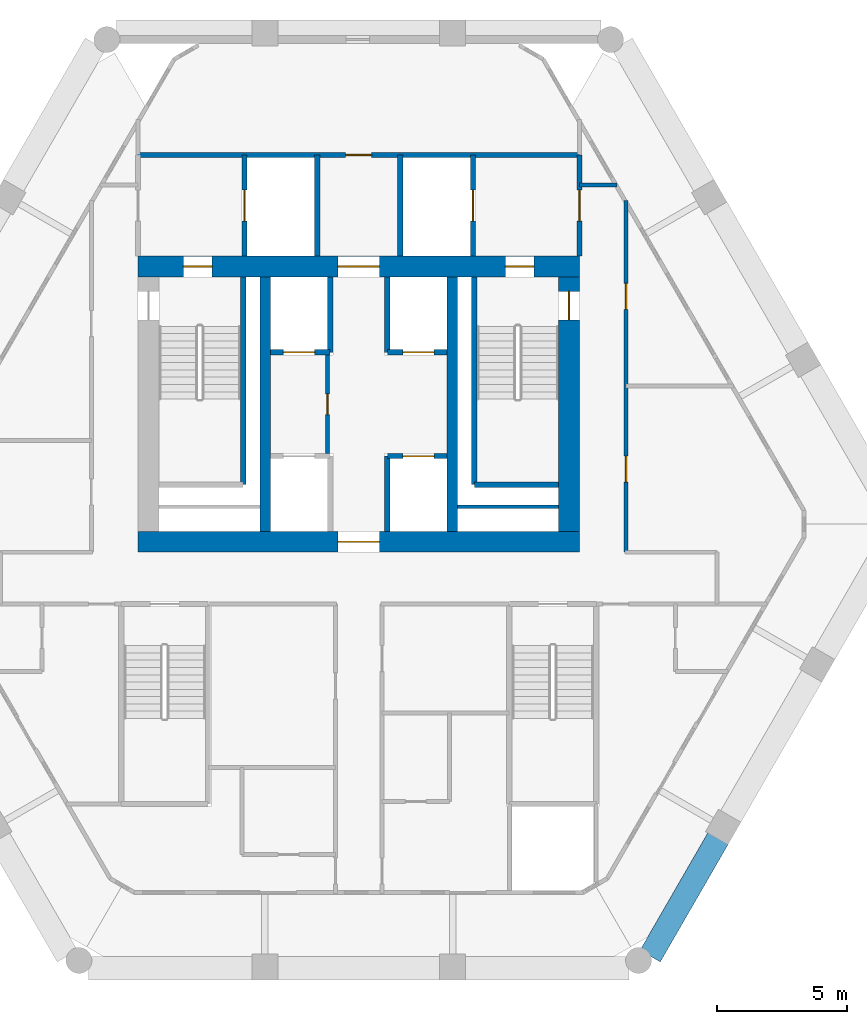
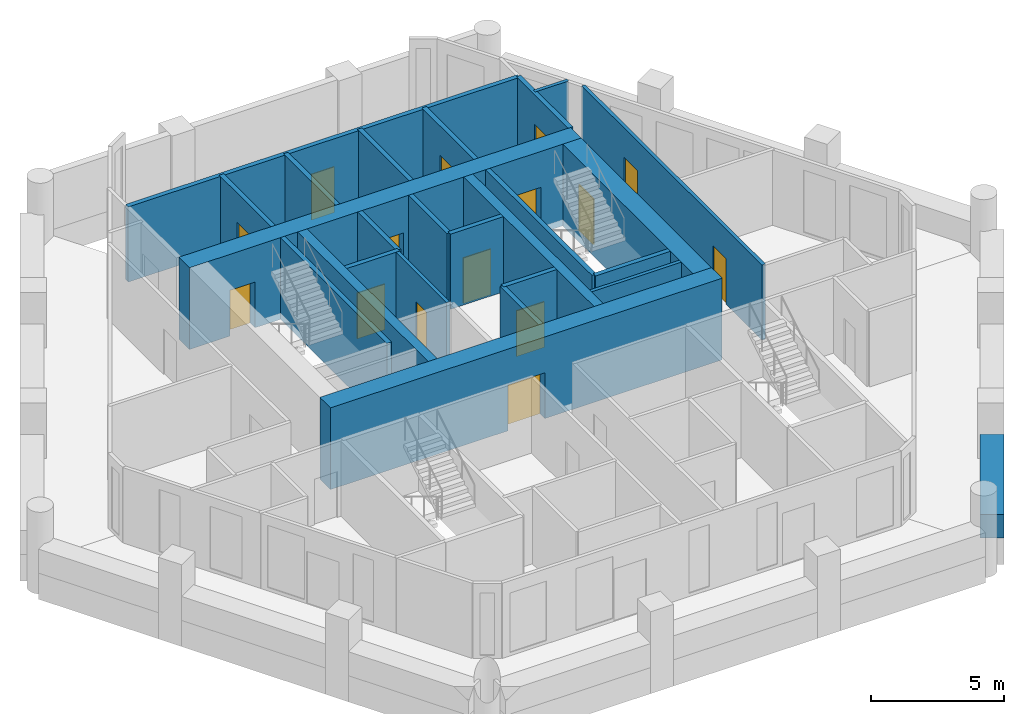
# One storey, part 4 of 7: 25 walls, 15 doors, 15 openings.
"""IFC4 building model written with IfcOpenShell, lengths in metres."""

from ifc_helpers import new_model, si_unit, direction, frame, frame_2d, origin, place, context, subcontext, project, spatial, rectangle, extrude, material, layer, layer_set, type_object, element, fill, save


model = new_model("IFC4")

# Units and contexts
model_context = context("Model", 3, precision=1e-05, world=origin(), true_north=direction((0.0, 1.0)))
body_context = subcontext(model_context, "Body", "Model", "MODEL_VIEW")
ifc_project = project(units=[si_unit("LENGTHUNIT", "METRE"), si_unit("AREAUNIT", "SQUARE_METRE"), si_unit("VOLUMEUNIT", "CUBIC_METRE"), si_unit("PLANEANGLEUNIT", "RADIAN"), si_unit("MASSUNIT", "GRAM", prefix="KILO")], contexts=[model_context])

# Site, building, storey
site_placement = place(None, origin())
site = spatial("IfcSite", under=ifc_project, at=site_placement, CompositionType="ELEMENT")
building_placement = place(site_placement, origin())
building = spatial("IfcBuilding", under=site, at=building_placement, Name="Ostrander Bayou Hotel Tower", CompositionType="ELEMENT")
storey_placement = place(building_placement, frame((0.0, 0.0, 183.25)))
storey = spatial("IfcBuildingStorey", under=building, at=storey_placement, Name="L45", CompositionType="ELEMENT", Elevation=183.25)

# Wall, opening, door
ifc_material_1 = material(Name="Concrete f'c 60 MPa", Category="concrete")
ifc_layer_1 = layer(ifc_material_1, 0.800048828125)
ifc_layer_set_1 = layer_set([ifc_layer_1], Name="CW7 core wall 800 mm f'c 60 MPa")
wall_type_1 = type_object("IfcWallType", Name="CW7 core wall 800 mm f'c 60 MPa", PredefinedType="SHEAR", material=ifc_layer_set_1)
wall_1_placement = place(storey_placement, frame((-8.5, -1.300048828125, -0.300048828125), z_axis=(0.0, 0.0, 1.0), x_axis=(1.0, 0.0, 0.0)))
wall_1 = element("IfcWall", 1, at=wall_1_placement, inside=storey, type_object=wall_type_1, Name="CW7 L45 S", PredefinedType="SHEAR", context=body_context, shape_type="SweptSolid", body=[
    extrude(rectangle(XDim=17.0, YDim=0.800048828125, at=frame_2d((8.5, 0.0))), origin(), (0.0, 0.0, 1.0), 3.75),
])
opening_1_placement = place(wall_1_placement, frame((7.699951171875, 0.0, 0.0)))
opening_1 = element("IfcOpeningElement", 2, at=opening_1_placement, cuts=wall_1, Name="Opening T44-005", PredefinedType="OPENING", context=body_context, shape_type="SweptSolid", body=[
    extrude(rectangle(XDim=1.60009765625, YDim=2.10009765625, at=frame_2d((0.800048828125, 1.050048828125))), frame((0.0, 0.39990234375, 0.0), z_axis=(0.0, -1.0, 0.0), x_axis=(1.0, 0.0, 0.0)), (0.0, 0.0, 1.0), 0.800048828125),
])
ifc_material_2 = material(Name="Timber door leaf", Category="wood")
door_type_1 = type_object("IfcDoorType", Name="D13 double door 1600 x 2100 mm, 1 hour", OperationType="SINGLE_SWING_LEFT", PredefinedType="DOOR", material=ifc_material_2)
door_1_placement = place(opening_1_placement, origin())
door_1 = element("IfcDoor", 3, at=door_1_placement, inside=storey, type_object=door_type_1, Name="dr:L45:005", OperationType="DOUBLE_DOOR_SINGLE_SWING", OverallHeight=2.10009765625, OverallWidth=1.60009765625, PredefinedType="DOOR", context=body_context, shape_type="SweptSolid", body=[
    extrude(rectangle(XDim=1.60009765625, YDim=2.10009765625, at=frame_2d((0.800048828125, 1.050048828125))), frame((0.0, 0.02490234375, 0.0), z_axis=(0.0, -1.0, 0.0), x_axis=(1.0, 0.0, 0.0)), (0.0, 0.0, 1.0), 0.050048828125),
])
fill(opening_1, door_1)

# Wall, openings, doors
wall_2_placement = place(storey_placement, frame((-8.5, 9.300048828125, -0.300048828125), z_axis=(0.0, 0.0, 1.0), x_axis=(1.0, 0.0, 0.0)))
wall_2 = element("IfcWall", 4, at=wall_2_placement, inside=storey, type_object=wall_type_1, Name="CW7 L45 N", PredefinedType="SHEAR", context=body_context, shape_type="SweptSolid", body=[
    extrude(rectangle(XDim=17.0, YDim=0.800048828125, at=frame_2d((8.5, 0.0))), origin(), (0.0, 0.0, 1.0), 3.75),
])
opening_2_placement = place(wall_2_placement, frame((7.699951171875, 0.0, 0.0)))
opening_2 = element("IfcOpeningElement", 5, at=opening_2_placement, cuts=wall_2, Name="Opening T44-006", PredefinedType="OPENING", context=body_context, shape_type="SweptSolid", body=[
    extrude(rectangle(XDim=1.60009765625, YDim=2.10009765625, at=frame_2d((0.800048828125, 1.050048828125))), frame((0.0, 0.39990234375, 0.0), z_axis=(0.0, -1.0, 0.0), x_axis=(1.0, 0.0, 0.0)), (0.0, 0.0, 1.0), 0.800048828125),
])
opening_3_placement = place(wall_2_placement, frame((1.75, 0.0, 0.0)))
opening_3 = element("IfcOpeningElement", 6, at=opening_3_placement, cuts=wall_2, Name="Opening T44-007", PredefinedType="OPENING", context=body_context, shape_type="SweptSolid", body=[
    extrude(rectangle(XDim=1.10009765625, YDim=2.10009765625, at=frame_2d((0.550048828125, 1.050048828125))), frame((0.0, 0.39990234375, 0.0), z_axis=(0.0, -1.0, 0.0), x_axis=(1.0, 0.0, 0.0)), (0.0, 0.0, 1.0), 0.800048828125),
])
opening_4_placement = place(wall_2_placement, frame((14.14990234375, 0.0, 0.0)))
opening_4 = element("IfcOpeningElement", 7, at=opening_4_placement, cuts=wall_2, Name="Opening T44-009", PredefinedType="OPENING", context=body_context, shape_type="SweptSolid", body=[
    extrude(rectangle(XDim=1.10009765625, YDim=2.10009765625, at=frame_2d((0.550048828125, 1.050048828125))), frame((0.0, 0.39990234375, 0.0), z_axis=(0.0, -1.0, 0.0), x_axis=(1.0, 0.0, 0.0)), (0.0, 0.0, 1.0), 0.800048828125),
])
door_2_placement = place(opening_2_placement, origin())
door_2 = element("IfcDoor", 8, at=door_2_placement, inside=storey, type_object=door_type_1, Name="dr:L45:006", OperationType="DOUBLE_DOOR_SINGLE_SWING", OverallHeight=2.10009765625, OverallWidth=1.60009765625, PredefinedType="DOOR", context=body_context, shape_type="SweptSolid", body=[
    extrude(rectangle(XDim=1.60009765625, YDim=2.10009765625, at=frame_2d((0.800048828125, 1.050048828125))), frame((0.0, 0.02490234375, 0.0), z_axis=(0.0, -1.0, 0.0), x_axis=(1.0, 0.0, 0.0)), (0.0, 0.0, 1.0), 0.050048828125),
])
fill(opening_2, door_2)
ifc_material_3 = material(Name="Timber door leaf", Category="wood")
door_type_2 = type_object("IfcDoorType", Name="D5 stair door 1100 x 2100 mm, 90 minute", OperationType="SINGLE_SWING_LEFT", PredefinedType="DOOR", material=ifc_material_3)
door_3_placement = place(opening_3_placement, origin())
door_3 = element("IfcDoor", 9, at=door_3_placement, inside=storey, type_object=door_type_2, Name="dr:L45:007", OperationType="SINGLE_SWING_LEFT", OverallHeight=2.10009765625, OverallWidth=1.10009765625, PredefinedType="DOOR", context=body_context, shape_type="SweptSolid", body=[
    extrude(rectangle(XDim=1.10009765625, YDim=2.10009765625, at=frame_2d((0.550048828125, 1.050048828125))), frame((0.0, 0.02490234375, 0.0), z_axis=(0.0, -1.0, 0.0), x_axis=(1.0, 0.0, 0.0)), (0.0, 0.0, 1.0), 0.050048828125),
])
fill(opening_3, door_3)
door_4_placement = place(opening_4_placement, origin())
door_4 = element("IfcDoor", 10, at=door_4_placement, inside=storey, type_object=door_type_2, Name="dr:L45:009", OperationType="SINGLE_SWING_RIGHT", OverallHeight=2.10009765625, OverallWidth=1.10009765625, PredefinedType="DOOR", context=body_context, shape_type="SweptSolid", body=[
    extrude(rectangle(XDim=1.10009765625, YDim=2.10009765625, at=frame_2d((0.550048828125, 1.050048828125))), frame((0.0, 0.02490234375, 0.0), z_axis=(0.0, -1.0, 0.0), x_axis=(1.0, 0.0, 0.0)), (0.0, 0.0, 1.0), 0.050048828125),
])
fill(opening_4, door_4)

# Wall, opening, door
ifc_material_4 = material(Name="Concrete f'c 60 MPa", Category="concrete")
ifc_layer_2 = layer(ifc_material_4, 0.800048828125)
ifc_layer_set_2 = layer_set([ifc_layer_2], Name="CW8 core spine wall 800 mm f'c 60 MPa")
wall_type_2 = type_object("IfcWallType", Name="CW8 core spine wall 800 mm f'c 60 MPa", PredefinedType="SHEAR", material=ifc_layer_set_2)
wall_3_placement = place(storey_placement, frame((8.10009765625, -0.89990234375, -0.300048828125), z_axis=(0.0, 0.0, 1.0), x_axis=(0.0, 1.0, 0.0)))
wall_3 = element("IfcWall", 11, at=wall_3_placement, inside=storey, type_object=wall_type_2, Name="CW8 L45 E", PredefinedType="SHEAR", context=body_context, shape_type="SweptSolid", body=[
    extrude(rectangle(XDim=9.7998046875, YDim=0.800048828125, at=frame_2d((4.89990234375, 0.0))), origin(), (0.0, 0.0, 1.0), 3.75),
])
opening_5_placement = place(wall_3_placement, frame((8.14990234375, 0.0, 0.0)))
opening_5 = element("IfcOpeningElement", 12, at=opening_5_placement, cuts=wall_3, Name="Opening T44-010", PredefinedType="OPENING", context=body_context, shape_type="SweptSolid", body=[
    extrude(rectangle(XDim=1.10009765625, YDim=2.10009765625, at=frame_2d((0.550048828125, 1.050048828125))), frame((0.0, 0.39990234375, 0.0), z_axis=(0.0, -1.0, 0.0), x_axis=(1.0, 0.0, 0.0)), (0.0, 0.0, 1.0), 0.800048828125),
])
door_5_placement = place(opening_5_placement, origin())
door_5 = element("IfcDoor", 13, at=door_5_placement, inside=storey, type_object=door_type_2, Name="dr:L45:010", OperationType="SINGLE_SWING_LEFT", OverallHeight=2.10009765625, OverallWidth=1.10009765625, PredefinedType="DOOR", context=body_context, shape_type="SweptSolid", body=[
    extrude(rectangle(XDim=1.10009765625, YDim=2.10009765625, at=frame_2d((0.550048828125, 1.050048828125))), frame((0.0, 0.02490234375, 0.0), z_axis=(0.0, -1.0, 0.0), x_axis=(1.0, 0.0, 0.0)), (0.0, 0.0, 1.0), 0.050048828125),
])
fill(opening_5, door_5)

# Walls
ifc_material_5 = material(Name="Concrete f'c 60 MPa", Category="concrete")
ifc_layer_3 = layer(ifc_material_5, 0.39990234375)
ifc_layer_set_3 = layer_set([ifc_layer_3], Name="CW9 core bank wall 400 mm f'c 60 MPa")
wall_type_3 = type_object("IfcWallType", Name="CW9 core bank wall 400 mm f'c 60 MPa", PredefinedType="SHEAR", material=ifc_layer_set_3)
for number, where, z_axis, x_axis, name in (
    (14, (-3.60009765625, -0.89990234375, -0.300048828125), (0.0, 0.0, 1.0), (0.0, 1.0, 0.0), "CW9 L45 CW"),
    (15, (3.60009765625, -0.89990234375, -0.300048828125), (0.0, 0.0, 1.0), (0.0, 1.0, 0.0), "CW9 L45 CE"),
):
    element("IfcWall", number, at=place(storey_placement, frame(where, z_axis=z_axis, x_axis=x_axis)), inside=storey, type_object=wall_type_3, Name=name, PredefinedType="SHEAR", context=body_context, shape_type="SweptSolid", body=[
        extrude(rectangle(XDim=9.7998046875, YDim=0.39990234375, at=frame_2d((4.89990234375, 0.0))), origin(), (0.0, 0.0, 1.0), 3.75),
    ])
ifc_material_6 = material(Name="Limestone masonry", Category="masonry")
ifc_layer_4 = layer(ifc_material_6, 0.89990234375)
ifc_layer_set_4 = layer_set([ifc_layer_4], Name="PA2 limestone parapet 900 mm")
wall_type_4 = type_object("IfcWallType", Name="PA2 limestone parapet 900 mm", PredefinedType="PARAPET", material=ifc_layer_set_4)
wall_4_placement = place(storey_placement, frame((11.224609375, -17.25830078125, 0.0), z_axis=(0.0, 0.0, 1.0), x_axis=(0.499988348136, 0.866032130887, 0.0)))
element("IfcWall", 16, at=wall_4_placement, inside=storey, type_object=wall_type_4, Name="PA2 L45 SE-1", PredefinedType="PARAPET", context=body_context, shape_type="SweptSolid", body=[
    extrude(rectangle(XDim=5.245849609375, YDim=0.89990234375, at=frame_2d((2.623046875, 0.0))), origin(), (0.0, 0.0, 1.0), 1.10009765625),
])

# Wall, opening, door
ifc_material_7 = material(Name="Masonry block", Category="masonry")
ifc_layer_5 = layer(ifc_material_7, 0.199951171875)
ifc_layer_set_5 = layer_set([ifc_layer_5], Name="PT5 stair enclosure wall 200 mm masonry, 2 hour")
wall_type_5 = type_object("IfcWallType", Name="PT5 stair enclosure wall 200 mm masonry, 2 hour", PredefinedType="PARTITIONING", material=ifc_layer_set_5)
wall_5_placement = place(storey_placement, frame((-8.5, 13.60009765625, 0.0), z_axis=(0.0, 0.0, 1.0), x_axis=(1.0, 0.0, 0.0)))
wall_5 = element("IfcWall", 17, at=wall_5_placement, inside=storey, type_object=wall_type_5, Name="cs:L45:025", PredefinedType="PARTITIONING", context=body_context, shape_type="SweptSolid", body=[
    extrude(rectangle(XDim=17.0, YDim=0.199951171875, at=frame_2d((8.5, 0.0))), origin(), (0.0, 0.0, 1.0), 3.449951171875),
])
opening_6_placement = place(wall_5_placement, frame((8.0, 0.0, 0.0)))
opening_6 = element("IfcOpeningElement", 18, at=opening_6_placement, cuts=wall_5, Name="Opening T44-017", PredefinedType="OPENING", context=body_context, shape_type="SweptSolid", body=[
    extrude(rectangle(XDim=1.0, YDim=2.10009765625, at=frame_2d((0.5, 1.050048828125))), frame((0.0, 0.10009765625, 0.0), z_axis=(0.0, -1.0, 0.0), x_axis=(1.0, 0.0, 0.0)), (0.0, 0.0, 1.0), 0.199951171875),
])
ifc_material_8 = material(Name="Timber door leaf", Category="wood")
door_type_3 = type_object("IfcDoorType", Name="D9 service door 1000 x 2100 mm, 30 minute", OperationType="SINGLE_SWING_LEFT", PredefinedType="DOOR", material=ifc_material_8)
door_6_placement = place(opening_6_placement, origin())
door_6 = element("IfcDoor", 19, at=door_6_placement, inside=storey, type_object=door_type_3, Name="dr:L45:017", OperationType="SINGLE_SWING_LEFT", OverallHeight=2.10009765625, OverallWidth=1.0, PredefinedType="DOOR", context=body_context, shape_type="SweptSolid", body=[
    extrude(rectangle(XDim=1.0, YDim=2.10009765625, at=frame_2d((0.5, 1.050048828125))), frame((0.0, 0.02490234375, 0.0), z_axis=(0.0, -1.0, 0.0), x_axis=(1.0, 0.0, 0.0)), (0.0, 0.0, 1.0), 0.050048828125),
])
fill(opening_6, door_6)

wall_6_placement = place(storey_placement, frame((8.5, 9.699951171875, 0.0), z_axis=(0.0, 0.0, 1.0), x_axis=(0.0, 1.0, 0.0)))
wall_6 = element("IfcWall", 20, at=wall_6_placement, inside=storey, type_object=wall_type_5, Name="cs:L45:027", PredefinedType="PARTITIONING", context=body_context, shape_type="SweptSolid", body=[
    extrude(rectangle(XDim=3.900146484375, YDim=0.199951171875, at=frame_2d((1.9501953125, 0.0))), origin(), (0.0, 0.0, 1.0), 3.449951171875),
])
opening_7_placement = place(wall_6_placement, frame((1.35009765625, 0.0, 0.0)))
opening_7 = element("IfcOpeningElement", 21, at=opening_7_placement, cuts=wall_6, Name="Opening T44-016", PredefinedType="OPENING", context=body_context, shape_type="SweptSolid", body=[
    extrude(rectangle(XDim=1.199951171875, YDim=2.10009765625, at=frame_2d((0.60009765625, 1.050048828125))), frame((0.0, 0.10009765625, 0.0), z_axis=(0.0, -1.0, 0.0), x_axis=(1.0, 0.0, 0.0)), (0.0, 0.0, 1.0), 0.199951171875),
])
ifc_material_9 = material(Name="Timber door leaf", Category="wood")
door_type_4 = type_object("IfcDoorType", Name="D7 lobby door 1200 x 2100 mm, 1 hour", OperationType="SINGLE_SWING_LEFT", PredefinedType="DOOR", material=ifc_material_9)
door_7_placement = place(opening_7_placement, origin())
door_7 = element("IfcDoor", 22, at=door_7_placement, inside=storey, type_object=door_type_4, Name="dr:L45:016", OperationType="SINGLE_SWING_LEFT", OverallHeight=2.10009765625, OverallWidth=1.199951171875, PredefinedType="DOOR", context=body_context, shape_type="SweptSolid", body=[
    extrude(rectangle(XDim=1.199951171875, YDim=2.10009765625, at=frame_2d((0.60009765625, 1.050048828125))), frame((0.0, 0.02490234375, 0.0), z_axis=(0.0, -1.0, 0.0), x_axis=(1.0, 0.0, 0.0)), (0.0, 0.0, 1.0), 0.050048828125),
])
fill(opening_7, door_7)

wall_7_placement = place(storey_placement, frame((-4.39990234375, 9.699951171875, 0.0), z_axis=(0.0, 0.0, 1.0), x_axis=(0.0, 1.0, 0.0)))
wall_7 = element("IfcWall", 23, at=wall_7_placement, inside=storey, type_object=wall_type_5, Name="cs:L45:028", PredefinedType="PARTITIONING", context=body_context, shape_type="SweptSolid", body=[
    extrude(rectangle(XDim=3.900146484375, YDim=0.199951171875, at=frame_2d((1.9501953125, 0.0))), origin(), (0.0, 0.0, 1.0), 3.449951171875),
])
opening_8_placement = place(wall_7_placement, frame((1.35009765625, 0.0, 0.0)))
opening_8 = element("IfcOpeningElement", 24, at=opening_8_placement, cuts=wall_7, Name="Opening T44-013", PredefinedType="OPENING", context=body_context, shape_type="SweptSolid", body=[
    extrude(rectangle(XDim=1.199951171875, YDim=2.10009765625, at=frame_2d((0.60009765625, 1.050048828125))), frame((0.0, 0.10009765625, 0.0), z_axis=(0.0, -1.0, 0.0), x_axis=(1.0, 0.0, 0.0)), (0.0, 0.0, 1.0), 0.199951171875),
])
ifc_material_10 = material(Name="Stainless steel sliding door", Category="steel")
door_type_5 = type_object("IfcDoorType", Name="LD1 lift landing door 1200 x 2100 mm", OperationType="SINGLE_SWING_LEFT", PredefinedType="DOOR", material=ifc_material_10)
door_8_placement = place(opening_8_placement, origin())
door_8 = element("IfcDoor", 25, at=door_8_placement, inside=storey, type_object=door_type_5, Name="dr:L45:013", OperationType="SLIDING_TO_LEFT", OverallHeight=2.10009765625, OverallWidth=1.199951171875, PredefinedType="DOOR", context=body_context, shape_type="SweptSolid", body=[
    extrude(rectangle(XDim=1.199951171875, YDim=2.10009765625, at=frame_2d((0.60009765625, 1.050048828125))), frame((0.0, 0.02490234375, 0.0), z_axis=(0.0, -1.0, 0.0), x_axis=(1.0, 0.0, 0.0)), (0.0, 0.0, 1.0), 0.050048828125),
])
fill(opening_8, door_8)

wall_8_placement = place(storey_placement, frame((4.39990234375, 9.699951171875, 0.0), z_axis=(0.0, 0.0, 1.0), x_axis=(0.0, 1.0, 0.0)))
wall_8 = element("IfcWall", 26, at=wall_8_placement, inside=storey, type_object=wall_type_5, Name="cs:L45:029", PredefinedType="PARTITIONING", context=body_context, shape_type="SweptSolid", body=[
    extrude(rectangle(XDim=3.900146484375, YDim=0.199951171875, at=frame_2d((1.9501953125, 0.0))), origin(), (0.0, 0.0, 1.0), 3.449951171875),
])
opening_9_placement = place(wall_8_placement, frame((1.35009765625, 0.0, 0.0)))
opening_9 = element("IfcOpeningElement", 27, at=opening_9_placement, cuts=wall_8, Name="Opening T44-015", PredefinedType="OPENING", context=body_context, shape_type="SweptSolid", body=[
    extrude(rectangle(XDim=1.199951171875, YDim=2.10009765625, at=frame_2d((0.60009765625, 1.050048828125))), frame((0.0, 0.10009765625, 0.0), z_axis=(0.0, -1.0, 0.0), x_axis=(1.0, 0.0, 0.0)), (0.0, 0.0, 1.0), 0.199951171875),
])
door_9_placement = place(opening_9_placement, origin())
door_9 = element("IfcDoor", 28, at=door_9_placement, inside=storey, type_object=door_type_5, Name="dr:L45:015", OperationType="SLIDING_TO_LEFT", OverallHeight=2.10009765625, OverallWidth=1.199951171875, PredefinedType="DOOR", context=body_context, shape_type="SweptSolid", body=[
    extrude(rectangle(XDim=1.199951171875, YDim=2.10009765625, at=frame_2d((0.60009765625, 1.050048828125))), frame((0.0, 0.02490234375, 0.0), z_axis=(0.0, -1.0, 0.0), x_axis=(1.0, 0.0, 0.0)), (0.0, 0.0, 1.0), 0.050048828125),
])
fill(opening_9, door_9)

ifc_material_11 = material(Name="Masonry block", Category="masonry")
ifc_layer_6 = layer(ifc_material_11, 0.199951171875)
ifc_layer_set_6 = layer_set([ifc_layer_6], Name="PT6 lift shaft wall 200 mm masonry, 2 hour")
wall_type_6 = type_object("IfcWallType", Name="PT6 lift shaft wall 200 mm masonry, 2 hour", PredefinedType="PARTITIONING", material=ifc_layer_set_6)
wall_9_placement = place(storey_placement, frame((-3.39990234375, 6.0, 0.0), z_axis=(0.0, 0.0, 1.0), x_axis=(1.0, 0.0, 0.0)))
wall_9 = element("IfcWall", 29, at=wall_9_placement, inside=storey, type_object=wall_type_6, Name="cs:L45:002", PredefinedType="PARTITIONING", context=body_context, shape_type="SweptSolid", body=[
    extrude(rectangle(XDim=2.2998046875, YDim=0.199951171875, at=frame_2d((1.14990234375, 0.0))), origin(), (0.0, 0.0, 1.0), 3.449951171875),
])
opening_10_placement = place(wall_9_placement, frame((0.5, 0.0, 0.0)))
opening_10 = element("IfcOpeningElement", 30, at=opening_10_placement, cuts=wall_9, Name="Opening T44-003", PredefinedType="OPENING", context=body_context, shape_type="SweptSolid", body=[
    extrude(rectangle(XDim=1.199951171875, YDim=2.10009765625, at=frame_2d((0.60009765625, 1.050048828125))), frame((0.0, 0.10009765625, 0.0), z_axis=(0.0, -1.0, 0.0), x_axis=(1.0, 0.0, 0.0)), (0.0, 0.0, 1.0), 0.199951171875),
])
door_10_placement = place(opening_10_placement, origin())
door_10 = element("IfcDoor", 31, at=door_10_placement, inside=storey, type_object=door_type_5, Name="dr:L45:003", OperationType="SLIDING_TO_LEFT", OverallHeight=2.10009765625, OverallWidth=1.199951171875, PredefinedType="DOOR", context=body_context, shape_type="SweptSolid", body=[
    extrude(rectangle(XDim=1.199951171875, YDim=2.10009765625, at=frame_2d((0.60009765625, 1.050048828125))), frame((0.0, 0.02490234375, 0.0), z_axis=(0.0, -1.0, 0.0), x_axis=(1.0, 0.0, 0.0)), (0.0, 0.0, 1.0), 0.050048828125),
])
fill(opening_10, door_10)

wall_10_placement = place(storey_placement, frame((1.10009765625, 2.0, 0.0), z_axis=(0.0, 0.0, 1.0), x_axis=(1.0, 0.0, 0.0)))
wall_10 = element("IfcWall", 32, at=wall_10_placement, inside=storey, type_object=wall_type_6, Name="cs:L45:003", PredefinedType="PARTITIONING", context=body_context, shape_type="SweptSolid", body=[
    extrude(rectangle(XDim=2.2998046875, YDim=0.199951171875, at=frame_2d((1.14990234375, 0.0))), origin(), (0.0, 0.0, 1.0), 3.449951171875),
])
opening_11_placement = place(wall_10_placement, frame((0.60009765625, 0.0, 0.0)))
opening_11 = element("IfcOpeningElement", 33, at=opening_11_placement, cuts=wall_10, Name="Opening T44-002", PredefinedType="OPENING", context=body_context, shape_type="SweptSolid", body=[
    extrude(rectangle(XDim=1.199951171875, YDim=2.10009765625, at=frame_2d((0.60009765625, 1.050048828125))), frame((0.0, 0.10009765625, 0.0), z_axis=(0.0, -1.0, 0.0), x_axis=(1.0, 0.0, 0.0)), (0.0, 0.0, 1.0), 0.199951171875),
])
door_11_placement = place(opening_11_placement, origin())
door_11 = element("IfcDoor", 34, at=door_11_placement, inside=storey, type_object=door_type_5, Name="dr:L45:002", OperationType="SLIDING_TO_LEFT", OverallHeight=2.10009765625, OverallWidth=1.199951171875, PredefinedType="DOOR", context=body_context, shape_type="SweptSolid", body=[
    extrude(rectangle(XDim=1.199951171875, YDim=2.10009765625, at=frame_2d((0.60009765625, 1.050048828125))), frame((0.0, 0.02490234375, 0.0), z_axis=(0.0, -1.0, 0.0), x_axis=(1.0, 0.0, 0.0)), (0.0, 0.0, 1.0), 0.050048828125),
])
fill(opening_11, door_11)

wall_11_placement = place(storey_placement, frame((1.10009765625, 6.0, 0.0), z_axis=(0.0, 0.0, 1.0), x_axis=(1.0, 0.0, 0.0)))
wall_11 = element("IfcWall", 35, at=wall_11_placement, inside=storey, type_object=wall_type_6, Name="cs:L45:004", PredefinedType="PARTITIONING", context=body_context, shape_type="SweptSolid", body=[
    extrude(rectangle(XDim=2.2998046875, YDim=0.199951171875, at=frame_2d((1.14990234375, 0.0))), origin(), (0.0, 0.0, 1.0), 3.449951171875),
])
opening_12_placement = place(wall_11_placement, frame((0.60009765625, 0.0, 0.0)))
opening_12 = element("IfcOpeningElement", 36, at=opening_12_placement, cuts=wall_11, Name="Opening T44-004", PredefinedType="OPENING", context=body_context, shape_type="SweptSolid", body=[
    extrude(rectangle(XDim=1.199951171875, YDim=2.10009765625, at=frame_2d((0.60009765625, 1.050048828125))), frame((0.0, 0.10009765625, 0.0), z_axis=(0.0, -1.0, 0.0), x_axis=(1.0, 0.0, 0.0)), (0.0, 0.0, 1.0), 0.199951171875),
])
door_12_placement = place(opening_12_placement, origin())
door_12 = element("IfcDoor", 37, at=door_12_placement, inside=storey, type_object=door_type_5, Name="dr:L45:004", OperationType="SLIDING_TO_LEFT", OverallHeight=2.10009765625, OverallWidth=1.199951171875, PredefinedType="DOOR", context=body_context, shape_type="SweptSolid", body=[
    extrude(rectangle(XDim=1.199951171875, YDim=2.10009765625, at=frame_2d((0.60009765625, 1.050048828125))), frame((0.0, 0.02490234375, 0.0), z_axis=(0.0, -1.0, 0.0), x_axis=(1.0, 0.0, 0.0)), (0.0, 0.0, 1.0), 0.050048828125),
])
fill(opening_12, door_12)

# Walls
for number, where, z_axis, x_axis, name in (
    (38, (1.10009765625, -0.89990234375, 0.0), (0.0, 0.0, 1.0), (0.0, 1.0, 0.0), "cs:L45:006"),
    (39, (-1.10009765625, 6.0, 0.0), (0.0, 0.0, 1.0), (0.0, 1.0, 0.0), "cs:L45:007"),
    (40, (1.10009765625, 6.0, 0.0), (0.0, 0.0, 1.0), (0.0, 1.0, 0.0), "cs:L45:008"),
):
    element("IfcWall", number, at=place(storey_placement, frame(where, z_axis=z_axis, x_axis=x_axis)), inside=storey, type_object=wall_type_6, Name=name, PredefinedType="PARTITIONING", context=body_context, shape_type="SweptSolid", body=[
        extrude(rectangle(XDim=2.89990234375, YDim=0.199951171875, at=frame_2d((1.449951171875, 0.0))), origin(), (0.0, 0.0, 1.0), 3.449951171875),
    ])
for number, where, z_axis, x_axis, name in (
    (41, (-1.60009765625, 9.699951171875, 0.0), (0.0, 0.0, 1.0), (0.0, 1.0, 0.0), "cs:L45:030"),
    (42, (1.60009765625, 9.699951171875, 0.0), (0.0, 0.0, 1.0), (0.0, 1.0, 0.0), "cs:L45:031"),
):
    element("IfcWall", number, at=place(storey_placement, frame(where, z_axis=z_axis, x_axis=x_axis)), inside=storey, type_object=wall_type_6, Name=name, PredefinedType="PARTITIONING", context=body_context, shape_type="SweptSolid", body=[
        extrude(rectangle(XDim=3.900146484375, YDim=0.199951171875, at=frame_2d((1.9501953125, 0.0))), origin(), (0.0, 0.0, 1.0), 3.449951171875),
    ])
ifc_material_12 = material(Name="Gypsum board partition", Category="finish")
ifc_layer_7 = layer(ifc_material_12, 0.14990234375)
ifc_layer_set_7 = layer_set([ifc_layer_7], Name="PT7 riser wall 150 mm, 2 hour")
wall_type_7 = type_object("IfcWallType", Name="PT7 riser wall 150 mm, 2 hour", PredefinedType="PARTITIONING", material=ifc_layer_set_7)
wall_12_placement = place(storey_placement, frame((3.800048828125, 0.050048828125, 0.0), z_axis=(0.0, 0.0, 1.0), x_axis=(1.0, 0.0, 0.0)))
element("IfcWall", 43, at=wall_12_placement, inside=storey, type_object=wall_type_7, Name="cs:L45:014", PredefinedType="PARTITIONING", context=body_context, shape_type="SweptSolid", body=[
    extrude(rectangle(XDim=3.89990234375, YDim=0.14990234375, at=frame_2d((1.949951171875, 0.0))), origin(), (0.0, 0.0, 1.0), 3.449951171875),
])

# Wall, opening, door
wall_13_placement = place(storey_placement, frame((-1.199951171875, 2.10009765625, 0.0), z_axis=(0.0, 0.0, 1.0), x_axis=(0.0, 1.0, 0.0)))
wall_13 = element("IfcWall", 44, at=wall_13_placement, inside=storey, type_object=wall_type_7, Name="cs:L45:032", PredefinedType="PARTITIONING", context=body_context, shape_type="SweptSolid", body=[
    extrude(rectangle(XDim=3.7998046875, YDim=0.14990234375, at=frame_2d((1.89990234375, 0.0))), origin(), (0.0, 0.0, 1.0), 3.449951171875),
])
opening_13_placement = place(wall_13_placement, frame((1.5, 0.0, 0.0)))
opening_13 = element("IfcOpeningElement", 45, at=opening_13_placement, cuts=wall_13, Name="Opening T44-018", PredefinedType="OPENING", context=body_context, shape_type="SweptSolid", body=[
    extrude(rectangle(XDim=0.800048828125, YDim=2.10009765625, at=frame_2d((0.39990234375, 1.050048828125))), frame((0.0, 0.074951171875, 0.0), z_axis=(0.0, -1.0, 0.0), x_axis=(1.0, 0.0, 0.0)), (0.0, 0.0, 1.0), 0.14990234375),
])
ifc_material_13 = material(Name="Timber door leaf", Category="wood")
door_type_6 = type_object("IfcDoorType", Name="D6 riser door 800 x 2100 mm, 90 minute", OperationType="SINGLE_SWING_LEFT", PredefinedType="DOOR", material=ifc_material_13)
door_13_placement = place(opening_13_placement, origin())
door_13 = element("IfcDoor", 46, at=door_13_placement, inside=storey, type_object=door_type_6, Name="dr:L45:018", OperationType="SINGLE_SWING_LEFT", OverallHeight=2.10009765625, OverallWidth=0.800048828125, PredefinedType="DOOR", context=body_context, shape_type="SweptSolid", body=[
    extrude(rectangle(XDim=0.800048828125, YDim=2.10009765625, at=frame_2d((0.39990234375, 1.050048828125))), frame((0.0, 0.02490234375, 0.0), z_axis=(0.0, -1.0, 0.0), x_axis=(1.0, 0.0, 0.0)), (0.0, 0.0, 1.0), 0.050048828125),
])
fill(opening_13, door_13)

# Wall
ifc_material_14 = material(Name="Gypsum board partition", Category="finish")
ifc_layer_8 = layer(ifc_material_14, 0.14990234375)
ifc_layer_set_8 = layer_set([ifc_layer_8], Name="PT8 service band wall 150 mm, 1 hour")
wall_type_8 = type_object("IfcWallType", Name="PT8 service band wall 150 mm, 1 hour", PredefinedType="PARTITIONING", material=ifc_layer_set_8)
wall_14_placement = place(storey_placement, frame((8.510009765625, 12.449951171875, 0.0), z_axis=(0.0, 0.0, 1.0), x_axis=(1.0, 0.0, 0.0)))
element("IfcWall", 47, at=wall_14_placement, inside=storey, type_object=wall_type_8, Name="gw:L45:017", PredefinedType="PARTITIONING", context=body_context, shape_type="SweptSolid", body=[
    extrude(rectangle(XDim=1.447021484375, YDim=0.14990234375, at=frame_2d((0.7236328125, 0.0))), origin(), (0.0, 0.0, 1.0), 3.449951171875),
])

# Wall, openings, doors
wall_15_placement = place(storey_placement, frame((10.300048828125, -1.699951171875, 0.0), z_axis=(0.0, 0.0, 1.0), x_axis=(0.0, 1.0, 0.0)))
wall_15 = element("IfcWall", 48, at=wall_15_placement, inside=storey, type_object=wall_type_8, Name="gw:L45:020", PredefinedType="PARTITIONING", context=body_context, shape_type="SweptSolid", body=[
    extrude(rectangle(XDim=13.555908203125, YDim=0.14990234375, at=frame_2d((6.77783203125, 0.0))), origin(), (0.0, 0.0, 1.0), 3.449951171875),
])
opening_14_placement = place(wall_15_placement, frame((2.699951171875, 0.0, 0.0)))
opening_14 = element("IfcOpeningElement", 49, at=opening_14_placement, cuts=wall_15, Name="Opening T44-412", PredefinedType="OPENING", context=body_context, shape_type="SweptSolid", body=[
    extrude(rectangle(XDim=1.0, YDim=2.10009765625, at=frame_2d((0.5, 1.050048828125))), frame((0.0, 0.074951171875, 0.0), z_axis=(0.0, -1.0, 0.0), x_axis=(1.0, 0.0, 0.0)), (0.0, 0.0, 1.0), 0.14990234375),
])
opening_15_placement = place(wall_15_placement, frame((9.35693359375, 0.0, 0.0)))
opening_15 = element("IfcOpeningElement", 50, at=opening_15_placement, cuts=wall_15, Name="Opening T44-413", PredefinedType="OPENING", context=body_context, shape_type="SweptSolid", body=[
    extrude(rectangle(XDim=1.0, YDim=2.10009765625, at=frame_2d((0.5, 1.050048828125))), frame((0.0, 0.074951171875, 0.0), z_axis=(0.0, -1.0, 0.0), x_axis=(1.0, 0.0, 0.0)), (0.0, 0.0, 1.0), 0.14990234375),
])
ifc_material_15 = material(Name="Timber door leaf", Category="wood")
door_type_7 = type_object("IfcDoorType", Name="D15 room door 1000 x 2100 mm", OperationType="SINGLE_SWING_LEFT", PredefinedType="DOOR", material=ifc_material_15)
door_14_placement = place(opening_14_placement, origin())
door_14 = element("IfcDoor", 51, at=door_14_placement, inside=storey, type_object=door_type_7, Name="dr:L45:412", OperationType="SINGLE_SWING_LEFT", OverallHeight=2.10009765625, OverallWidth=1.0, PredefinedType="DOOR", context=body_context, shape_type="SweptSolid", body=[
    extrude(rectangle(XDim=1.0, YDim=2.10009765625, at=frame_2d((0.5, 1.050048828125))), frame((0.0, 0.02490234375, 0.0), z_axis=(0.0, -1.0, 0.0), x_axis=(1.0, 0.0, 0.0)), (0.0, 0.0, 1.0), 0.050048828125),
])
fill(opening_14, door_14)
door_15_placement = place(opening_15_placement, origin())
door_15 = element("IfcDoor", 52, at=door_15_placement, inside=storey, type_object=door_type_3, Name="dr:L45:413", OperationType="SINGLE_SWING_LEFT", OverallHeight=2.10009765625, OverallWidth=1.0, PredefinedType="DOOR", context=body_context, shape_type="SweptSolid", body=[
    extrude(rectangle(XDim=1.0, YDim=2.10009765625, at=frame_2d((0.5, 1.050048828125))), frame((0.0, 0.02490234375, 0.0), z_axis=(0.0, -1.0, 0.0), x_axis=(1.0, 0.0, 0.0)), (0.0, 0.0, 1.0), 0.050048828125),
])
fill(opening_15, door_15)

# Walls
ifc_material_16 = material(Name="Concrete f'c 45 MPa", Category="concrete")
ifc_layer_9 = layer(ifc_material_16, 0.199951171875)
ifc_layer_set_9 = layer_set([ifc_layer_9], Name="SW5 stair enclosure wall 200 mm f'c 45 MPa")
wall_type_9 = type_object("IfcWallType", Name="SW5 stair enclosure wall 200 mm f'c 45 MPa", PredefinedType="SOLIDWALL", material=ifc_layer_set_9)
for number, where, z_axis, x_axis, name in (
    (53, (-4.449951171875, 0.89990234375, -0.300048828125), (0.0, 0.0, 1.0), (0.0, 1.0, 0.0), "cs:L45:009"),
    (54, (4.449951171875, 0.89990234375, -0.300048828125), (0.0, 0.0, 1.0), (0.0, 1.0, 0.0), "cs:L45:012"),
):
    element("IfcWall", number, at=place(storey_placement, frame(where, z_axis=z_axis, x_axis=x_axis)), inside=storey, type_object=wall_type_9, Name=name, PredefinedType="SOLIDWALL", context=body_context, shape_type="SweptSolid", body=[
        extrude(rectangle(XDim=8.0, YDim=0.199951171875, at=frame_2d((4.0, 0.0))), origin(), (0.0, 0.0, 1.0), 3.75),
    ])
wall_16_placement = place(storey_placement, frame((4.449951171875, 0.89990234375, -0.300048828125), z_axis=(0.0, 0.0, 1.0), x_axis=(1.0, 0.0, 0.0)))
element("IfcWall", 55, at=wall_16_placement, inside=storey, type_object=wall_type_9, Name="cs:L45:013", PredefinedType="SOLIDWALL", context=body_context, shape_type="SweptSolid", body=[
    extrude(rectangle(XDim=3.25, YDim=0.199951171875, at=frame_2d((1.625, 0.0))), origin(), (0.0, 0.0, 1.0), 3.75),
])

save(model, "model.ifc")
